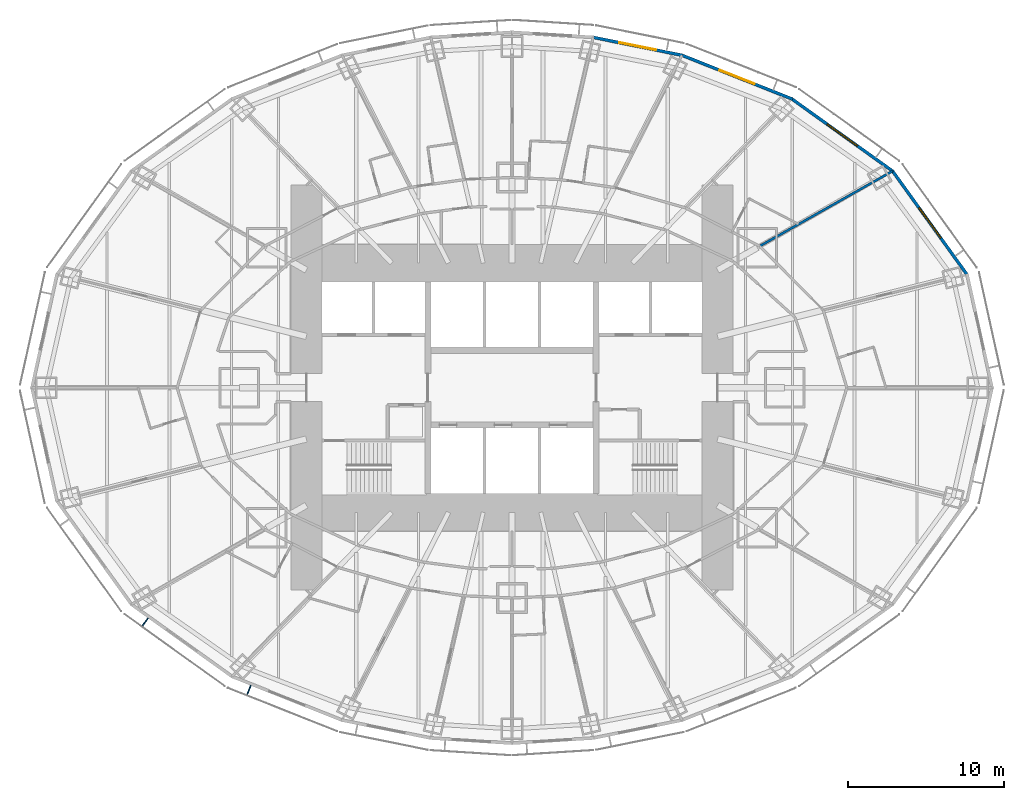
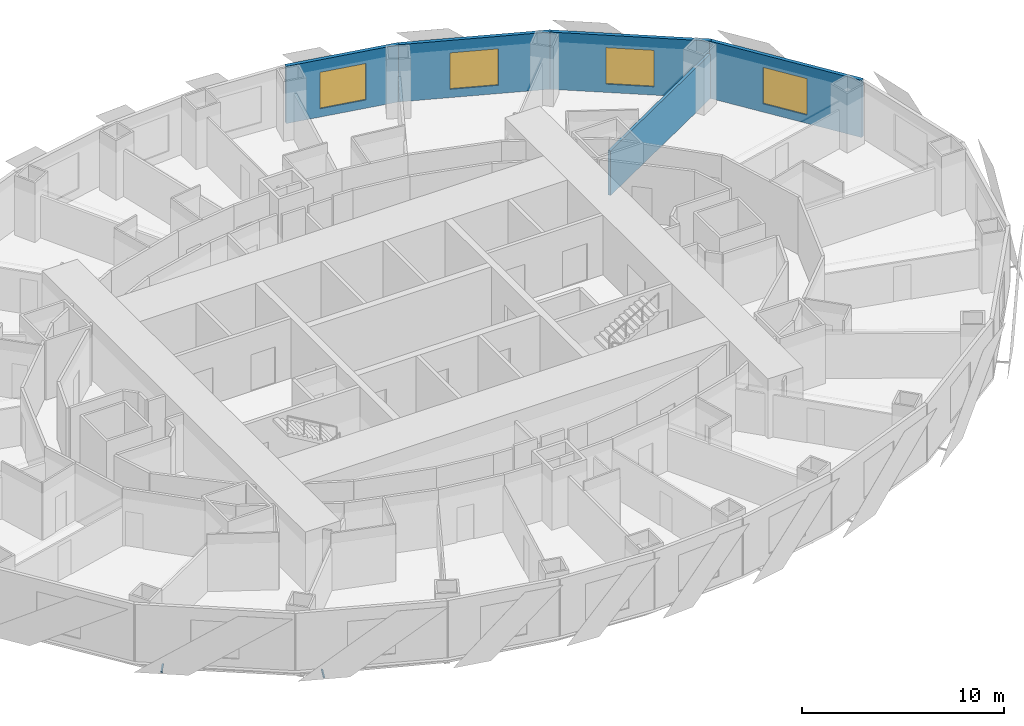
# One storey, part 10 of 15: 5 walls, 4 windows, 2 discrete accessories, 4 openings.
"""IFC4 building model written with IfcOpenShell, lengths in metres."""

from ifc_helpers import new_model, si_unit, direction, frame, frame_2d, origin, origin_2d, place, context, subcontext, project, spatial, rectangle, extrude, material, layer, layer_set, type_object, element, fill, save


model = new_model("IFC4")

# Units and contexts
model_context = context("Model", 3, precision=1e-05, world=origin(), true_north=direction((0.0, 1.0)))
body_context = subcontext(model_context, "Body", "Model", "MODEL_VIEW")
ifc_project = project(units=[si_unit("LENGTHUNIT", "METRE"), si_unit("AREAUNIT", "SQUARE_METRE"), si_unit("VOLUMEUNIT", "CUBIC_METRE"), si_unit("PLANEANGLEUNIT", "RADIAN"), si_unit("MASSUNIT", "GRAM", prefix="KILO")], contexts=[model_context])

# Site, building, storey
site_placement = place(None, origin())
site = spatial("IfcSite", under=ifc_project, at=site_placement, CompositionType="ELEMENT")
building_placement = place(site_placement, origin())
building = spatial("IfcBuilding", under=site, at=building_placement, Name="Lantaw Convention Tower", CompositionType="ELEMENT")
storey_placement = place(building_placement, frame((0.0, 0.0, 51.39990234375)))
storey = spatial("IfcBuildingStorey", under=building, at=storey_placement, Name="L10", CompositionType="ELEMENT", Elevation=51.39990234375)

# Wall, opening, window
ifc_material_1 = material(Name="Insulated aluminium panel on steel frame", Category="steel")
ifc_layer_1 = layer(ifc_material_1, 0.199951171875)
ifc_layer_set_1 = layer_set([ifc_layer_1], Name="External wall 200")
wall_type_1 = type_object("IfcWallType", Name="External wall 200", PredefinedType="SOLIDWALL", material=ifc_layer_set_1)
wall_1_placement = place(storey_placement, frame((29.260498046875, 7.199951171875, 0.0), z_axis=(0.0, 0.0, 1.0), x_axis=(-0.583937613703, 0.811798536155, 0.0)))
wall_1 = element("IfcWall", 1, at=wall_1_placement, inside=storey, type_object=wall_type_1, Name="Facade panel wall", PredefinedType="SOLIDWALL", context=body_context, shape_type="SweptSolid", body=[
    extrude(rectangle(XDim=8.322998046875, YDim=0.199951171875, at=frame_2d((4.16162109375, 0.0))), origin(), (0.0, 0.0, 1.0), 3.4501953125),
])
opening_1_placement = place(wall_1_placement, frame((2.96142578125, 0.0, 0.5)))
opening_1 = element("IfcOpeningElement", 2, at=opening_1_placement, cuts=wall_1, Name="Opening W1", PredefinedType="OPENING", context=body_context, shape_type="SweptSolid", body=[
    extrude(rectangle(XDim=2.39990234375, YDim=2.199951171875, at=frame_2d((1.199951171875, 1.10009765625))), frame((0.0, 0.10986328125, 0.0), z_axis=(0.0, -1.0, 0.0), x_axis=(1.0, 0.0, 0.0)), (0.0, 0.0, 1.0), 0.219970703125),
])
ifc_material_2 = material(Name="Aluminium frame, clear insulating glass", Category="aluminium")
window_type = type_object("IfcWindowType", Name="Guest room window 2400x2200", PartitioningType="SINGLE_PANEL", PredefinedType="WINDOW", material=ifc_material_2)
window_1_placement = place(opening_1_placement, origin())
window_1 = element("IfcWindow", 3, at=window_1_placement, inside=storey, type_object=window_type, Name="Guest room window", OverallHeight=2.199951171875, OverallWidth=2.39990234375, PartitioningType="SINGLE_PANEL", PredefinedType="WINDOW", context=body_context, shape_type="SweptSolid", body=[
    extrude(rectangle(XDim=2.39990234375, YDim=2.199951171875, at=frame_2d((1.199951171875, 1.10009765625))), frame((0.0, 0.030029296875, 0.0), z_axis=(0.0, -1.0, 0.0), x_axis=(1.0, 0.0, 0.0)), (0.0, 0.0, 1.0), 0.06005859375),
])
fill(opening_1, window_1)

wall_2_placement = place(storey_placement, frame((24.482421875, 13.87451171875, 0.0), z_axis=(0.0, 0.0, 1.0), x_axis=(-0.812791321576, 0.582554948112, 0.0)))
wall_2 = element("IfcWall", 4, at=wall_2_placement, inside=storey, type_object=wall_type_1, Name="Facade panel wall", PredefinedType="SOLIDWALL", context=body_context, shape_type="SweptSolid", body=[
    extrude(rectangle(XDim=8.063232421875, YDim=0.199951171875, at=frame_2d((4.03173828125, 0.0))), origin(), (0.0, 0.0, 1.0), 3.4501953125),
])
opening_2_placement = place(wall_2_placement, frame((2.83154296875, 0.0, 0.5)))
opening_2 = element("IfcOpeningElement", 5, at=opening_2_placement, cuts=wall_2, Name="Opening W1", PredefinedType="OPENING", context=body_context, shape_type="SweptSolid", body=[
    extrude(rectangle(XDim=2.39990234375, YDim=2.199951171875, at=frame_2d((1.199951171875, 1.10009765625))), frame((0.0, 0.10986328125, 0.0), z_axis=(0.0, -1.0, 0.0), x_axis=(1.0, 0.0, 0.0)), (0.0, 0.0, 1.0), 0.219970703125),
])
window_2_placement = place(opening_2_placement, origin())
window_2 = element("IfcWindow", 6, at=window_2_placement, inside=storey, type_object=window_type, Name="Guest room window", OverallHeight=2.199951171875, OverallWidth=2.39990234375, PartitioningType="SINGLE_PANEL", PredefinedType="WINDOW", context=body_context, shape_type="SweptSolid", body=[
    extrude(rectangle(XDim=2.39990234375, YDim=2.199951171875, at=frame_2d((1.199951171875, 1.10009765625))), frame((0.0, 0.030029296875, 0.0), z_axis=(0.0, -1.0, 0.0), x_axis=(1.0, 0.0, 0.0)), (0.0, 0.0, 1.0), 0.06005859375),
])
fill(opening_2, window_2)

wall_3_placement = place(storey_placement, frame((18.018310546875, 18.522705078125, 0.0), z_axis=(0.0, 0.0, 1.0), x_axis=(-0.929358351251, 0.369178892895, 0.0)))
wall_3 = element("IfcWall", 7, at=wall_3_placement, inside=storey, type_object=wall_type_1, Name="Facade panel wall", PredefinedType="SOLIDWALL", context=body_context, shape_type="SweptSolid", body=[
    extrude(rectangle(XDim=7.6923828125, YDim=0.199951171875, at=frame_2d((3.84619140625, 0.0))), origin(), (0.0, 0.0, 1.0), 3.4501953125),
])
opening_3_placement = place(wall_3_placement, frame((2.64599609375, 0.0, 0.5)))
opening_3 = element("IfcOpeningElement", 8, at=opening_3_placement, cuts=wall_3, Name="Opening W1", PredefinedType="OPENING", context=body_context, shape_type="SweptSolid", body=[
    extrude(rectangle(XDim=2.39990234375, YDim=2.199951171875, at=frame_2d((1.199951171875, 1.10009765625))), frame((0.0, 0.10986328125, 0.0), z_axis=(0.0, -1.0, 0.0), x_axis=(1.0, 0.0, 0.0)), (0.0, 0.0, 1.0), 0.219970703125),
])
window_3_placement = place(opening_3_placement, origin())
window_3 = element("IfcWindow", 9, at=window_3_placement, inside=storey, type_object=window_type, Name="Guest room window", OverallHeight=2.199951171875, OverallWidth=2.39990234375, PartitioningType="SINGLE_PANEL", PredefinedType="WINDOW", context=body_context, shape_type="SweptSolid", body=[
    extrude(rectangle(XDim=2.39990234375, YDim=2.199951171875, at=frame_2d((1.199951171875, 1.10009765625))), frame((0.0, 0.030029296875, 0.0), z_axis=(0.0, -1.0, 0.0), x_axis=(1.0, 0.0, 0.0)), (0.0, 0.0, 1.0), 0.06005859375),
])
fill(opening_3, window_3)

wall_4_placement = place(storey_placement, frame((10.956787109375, 21.336669921875, 0.0), z_axis=(0.0, 0.0, 1.0), x_axis=(-0.980251657452, 0.197754110105, 0.0)))
wall_4 = element("IfcWall", 10, at=wall_4_placement, inside=storey, type_object=wall_type_1, Name="Facade panel wall", PredefinedType="SOLIDWALL", context=body_context, shape_type="SweptSolid", body=[
    extrude(rectangle(XDim=5.90380859375, YDim=0.199951171875, at=frame_2d((2.951904296875, 0.0))), origin(), (0.0, 0.0, 1.0), 3.4501953125),
])
opening_4_placement = place(wall_4_placement, frame((1.751708984375, 0.0, 0.5)))
opening_4 = element("IfcOpeningElement", 11, at=opening_4_placement, cuts=wall_4, Name="Opening W1", PredefinedType="OPENING", context=body_context, shape_type="SweptSolid", body=[
    extrude(rectangle(XDim=2.39990234375, YDim=2.199951171875, at=frame_2d((1.199951171875, 1.10009765625))), frame((0.0, 0.10986328125, 0.0), z_axis=(0.0, -1.0, 0.0), x_axis=(1.0, 0.0, 0.0)), (0.0, 0.0, 1.0), 0.219970703125),
])
window_4_placement = place(opening_4_placement, origin())
window_4 = element("IfcWindow", 12, at=window_4_placement, inside=storey, type_object=window_type, Name="Guest room window", OverallHeight=2.199951171875, OverallWidth=2.39990234375, PartitioningType="SINGLE_PANEL", PredefinedType="WINDOW", context=body_context, shape_type="SweptSolid", body=[
    extrude(rectangle(XDim=2.39990234375, YDim=2.199951171875, at=frame_2d((1.199951171875, 1.10009765625))), frame((0.0, 0.030029296875, 0.0), z_axis=(0.0, -1.0, 0.0), x_axis=(1.0, 0.0, 0.0)), (0.0, 0.0, 1.0), 0.06005859375),
])
fill(opening_4, window_4)

# Wall
ifc_material_3 = material(Name="Gypsum board on steel studs, acoustic", Category="steel")
ifc_layer_2 = layer(ifc_material_3, 0.14990234375)
ifc_layer_set_2 = layer_set([ifc_layer_2], Name="Guest room party wall 150")
wall_type_2 = type_object("IfcWallType", Name="Guest room party wall 150", PredefinedType="PARTITIONING", material=ifc_layer_set_2)
wall_5_placement = place(storey_placement, frame((24.434814453125, 13.90869140625, 0.0), z_axis=(0.0, 0.0, 1.0), x_axis=(-0.870612006791, -0.491970256856, 0.0)))
element("IfcWall", 13, at=wall_5_placement, inside=storey, type_object=wall_type_2, Name="Guest room party wall 150", PredefinedType="PARTITIONING", context=body_context, shape_type="SweptSolid", body=[
    extrude(rectangle(XDim=9.802001953125, YDim=0.14990234375, at=frame_2d((4.90087890625, 0.0))), origin(), (0.0, 0.0, 1.0), 2.693115234375),
])

# Discrete accessories
for number, where, z_axis, x_axis, name in (
    (14, (-23.564453125, -15.06640625, -0.114990234375), (0.0, 0.0, 1.0), (0.812803733199, -0.5825376308, 0.0), "Screen bracket"),
    (15, (-16.898193359375, -19.4345703125, -0.114990234375), (0.0, 0.0, 1.0), (0.929361152748, -0.369171840425, 0.0), "Screen bracket"),
):
    element("IfcDiscreteAccessory", number, at=place(storey_placement, frame(where, z_axis=z_axis, x_axis=x_axis)), inside=storey, Name=name, PredefinedType="BRACKET", context=body_context, shape_type="SweptSolid", body=[
        extrude(rectangle(XDim=0.080078125, YDim=0.68798828125, at=origin_2d()), origin(), (0.0, 0.0, 1.0), 0.080078125),
    ])

save(model, "model.ifc")
